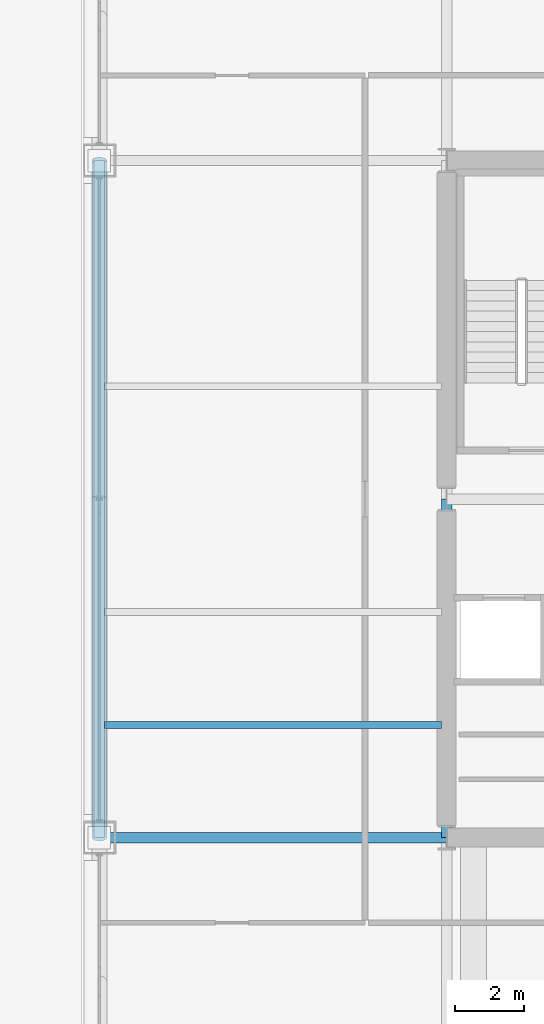
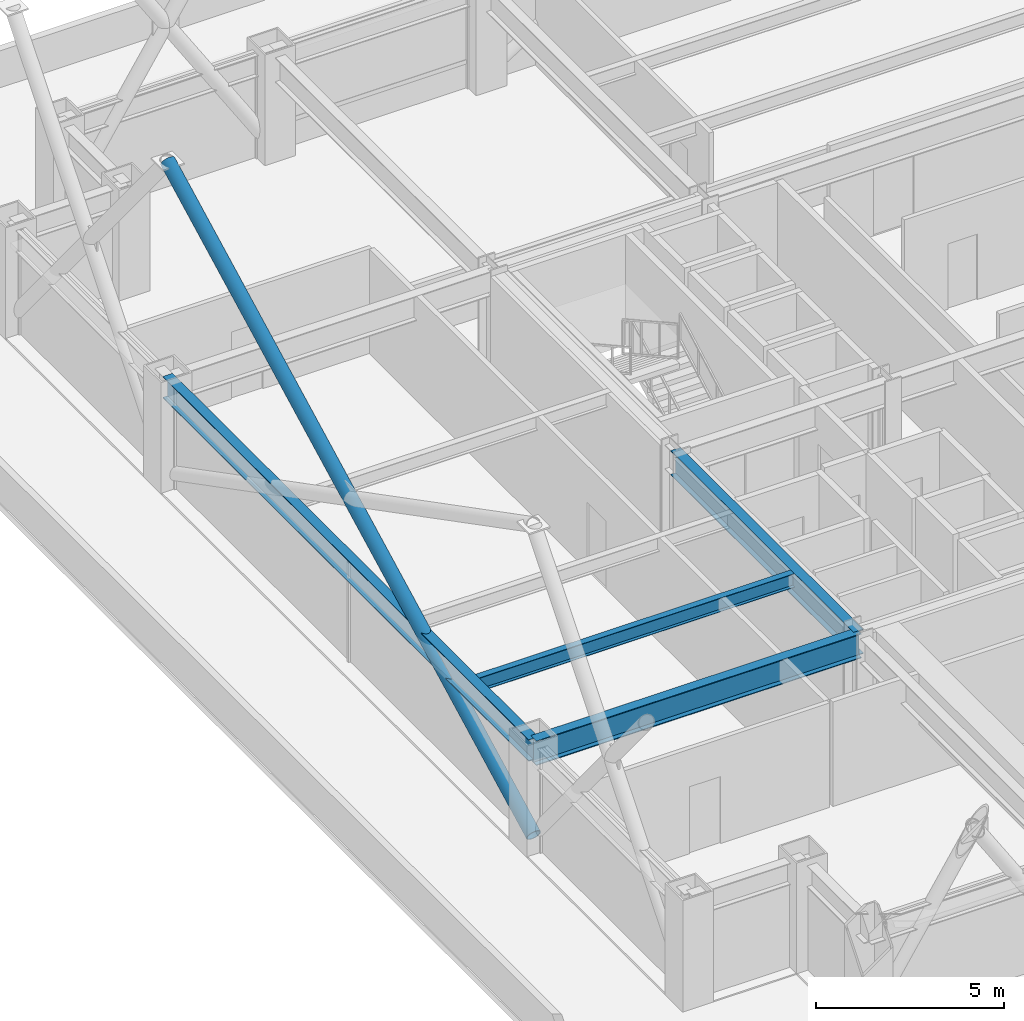
# One storey, part 7 of 33: 4 beams, 1 member.
"""IFC4 building model written with IfcOpenShell, lengths in metres."""

from ifc_helpers import new_model, si_unit, direction, frame, origin, origin_2d, place, context, subcontext, project, spatial, hollow_circle, i_section, extrude, material, material_profile, profile_set, type_object, element, save


model = new_model("IFC4")

# Units and contexts
model_context = context("Model", 3, precision=1e-05, world=origin(), true_north=direction((0.0, 1.0)))
body_context = subcontext(model_context, "Body", "Model", "MODEL_VIEW")
ifc_project = project(units=[si_unit("LENGTHUNIT", "METRE"), si_unit("AREAUNIT", "SQUARE_METRE"), si_unit("VOLUMEUNIT", "CUBIC_METRE"), si_unit("PLANEANGLEUNIT", "RADIAN"), si_unit("MASSUNIT", "GRAM", prefix="KILO")], contexts=[model_context])

# Site, building, storey
site_placement = place(None, origin())
site = spatial("IfcSite", under=ifc_project, at=site_placement, CompositionType="ELEMENT")
building_placement = place(site_placement, origin())
building = spatial("IfcBuilding", under=site, at=building_placement, Name="Brelmoor Portico Tower", CompositionType="ELEMENT")
storey_placement = place(building_placement, frame((0.0, 0.0, 24.0)))
storey = spatial("IfcBuildingStorey", under=building, at=storey_placement, Name="L05", CompositionType="ELEMENT", Elevation=24.0)

# Beams
ifc_material = material(Name="Steel Q355B", Category="steel")
ifc_material_profile_1 = material_profile(ifc_material, i_section(OverallWidth=0.199951171875, OverallDepth=0.449951171875, WebThickness=0.009033203125, FlangeThickness=0.013916015625, at=origin_2d()), Name="HN 450x200x9x14")
ifc_profile_set_1 = profile_set([ifc_material_profile_1], Name="Steel Q355B")
beam_type_1 = type_object("IfcBeamType", Name="BM-JS-450", PredefinedType="JOIST", material=ifc_profile_set_1)
beam_1_placement = place(storey_placement, frame((-24.39990234375, -6.5, 3.175048828125), z_axis=(1.0, 0.0, 0.0), x_axis=(0.0, 1.0, 0.0)))
element("IfcBeam", 1, at=beam_1_placement, inside=storey, type_object=beam_type_1, Name="L05 Secondary Wing Joist JS-W05", PredefinedType="JOIST", context=body_context, shape_type="SweptSolid", body=[
    extrude(i_section(OverallWidth=0.199951171875, OverallDepth=0.449951171875, WebThickness=0.009033203125, FlangeThickness=0.013916015625, at=origin_2d()), origin(), (0.0, 0.0, 1.0), 9.699951171875),
])
ifc_material_profile_2 = material_profile(ifc_material, i_section(OverallWidth=0.300048828125, OverallDepth=0.800048828125, WebThickness=0.013916015625, FlangeThickness=0.02587890625, at=origin_2d()), Name="HN 800x300x14x26")
ifc_profile_set_2 = profile_set([ifc_material_profile_2], Name="Steel Q355B")
beam_type_2 = type_object("IfcBeamType", Name="BM-PG-800", PredefinedType="BEAM", material=ifc_profile_set_2)
beam_2_placement = place(storey_placement, frame((-14.550048828125, -9.75, 3.0), z_axis=(0.0, 1.0, 0.0), x_axis=(-1.0, 0.0, 0.0)))
element("IfcBeam", 2, at=beam_2_placement, inside=storey, type_object=beam_type_2, Name="L05 Primary Floor Girder PG-04", PredefinedType="BEAM", context=body_context, shape_type="SweptSolid", body=[
    extrude(i_section(OverallWidth=0.300048828125, OverallDepth=0.800048828125, WebThickness=0.013916015625, FlangeThickness=0.02587890625, at=origin_2d()), origin(), (0.0, 0.0, 1.0), 9.75),
])
beam_3_placement = place(storey_placement, frame((-24.550048828125, -9.75, 3.0), z_axis=(1.0, 0.0, 0.0), x_axis=(0.0, 1.0, 0.0)))
element("IfcBeam", 3, at=beam_3_placement, inside=storey, type_object=beam_type_2, Name="L05 Primary Floor Girder PG-19", PredefinedType="BEAM", context=body_context, shape_type="SweptSolid", body=[
    extrude(i_section(OverallWidth=0.300048828125, OverallDepth=0.800048828125, WebThickness=0.013916015625, FlangeThickness=0.02587890625, at=origin_2d()), origin(), (0.0, 0.0, 1.0), 10.0),
])
ifc_material_profile_3 = material_profile(ifc_material, i_section(OverallWidth=0.300048828125, OverallDepth=0.699951171875, WebThickness=0.012939453125, FlangeThickness=0.02392578125, at=origin_2d()), Name="HN 700x300x13x24")
ifc_profile_set_3 = profile_set([ifc_material_profile_3], Name="Steel Q355B")
beam_type_3 = type_object("IfcBeamType", Name="BM-SP-700", PredefinedType="SPANDREL", material=ifc_profile_set_3)
beam_4_placement = place(storey_placement, frame((-24.550048828125, -9.75, 3.050048828125), z_axis=(0.0, 1.0, 0.0), x_axis=(-1.0, 0.0, 0.0)))
element("IfcBeam", 4, at=beam_4_placement, inside=storey, type_object=beam_type_3, Name="L05 Perimeter Spandrel Beam SP-16", PredefinedType="SPANDREL", context=body_context, shape_type="SweptSolid", body=[
    extrude(i_section(OverallWidth=0.300048828125, OverallDepth=0.699951171875, WebThickness=0.012939453125, FlangeThickness=0.02392578125, at=origin_2d()), origin(), (0.0, 0.0, 1.0), 19.5),
])

# Member
ifc_material_profile_4 = material_profile(ifc_material, hollow_circle(Radius=0.212890625, WallThickness=0.02001953125, at=origin_2d()), Name="CHS 426x20")
ifc_profile_set_4 = profile_set([ifc_material_profile_4], Name="Steel Q355B")
member_type = type_object("IfcMemberType", Name="MB-BELT-DIAG1", PredefinedType="BRACE", material=ifc_profile_set_4)
member_placement = place(storey_placement, frame((-24.550048828125, -9.75, 0.25), z_axis=(0.0, 0.887959386012, 0.459921872488), x_axis=(-1.0, 0.0, 0.0)))
element("IfcMember", 5, at=member_placement, inside=storey, type_object=member_type, Name="L05 Continuous Mega-X Brace 006A", PredefinedType="BRACE", context=body_context, shape_type="SweptSolid", body=[
    extrude(hollow_circle(Radius=0.212890625, WallThickness=0.02001953125, at=origin_2d()), origin(), (0.0, 0.0, 1.0), 21.96044921875),
])

save(model, "model.ifc")
